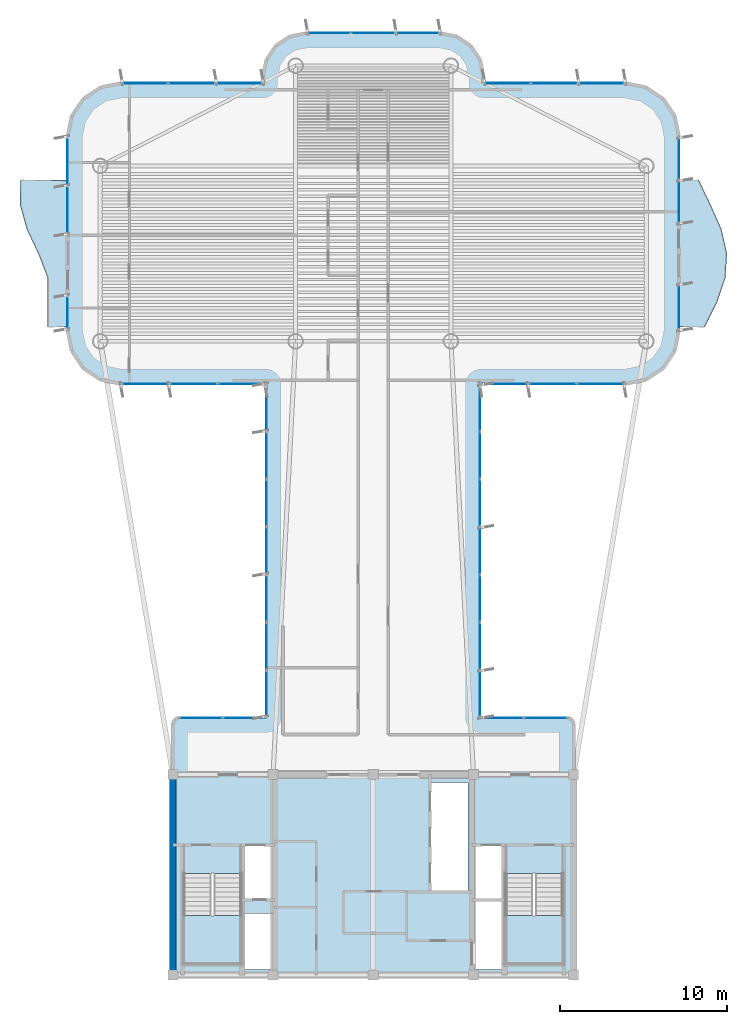
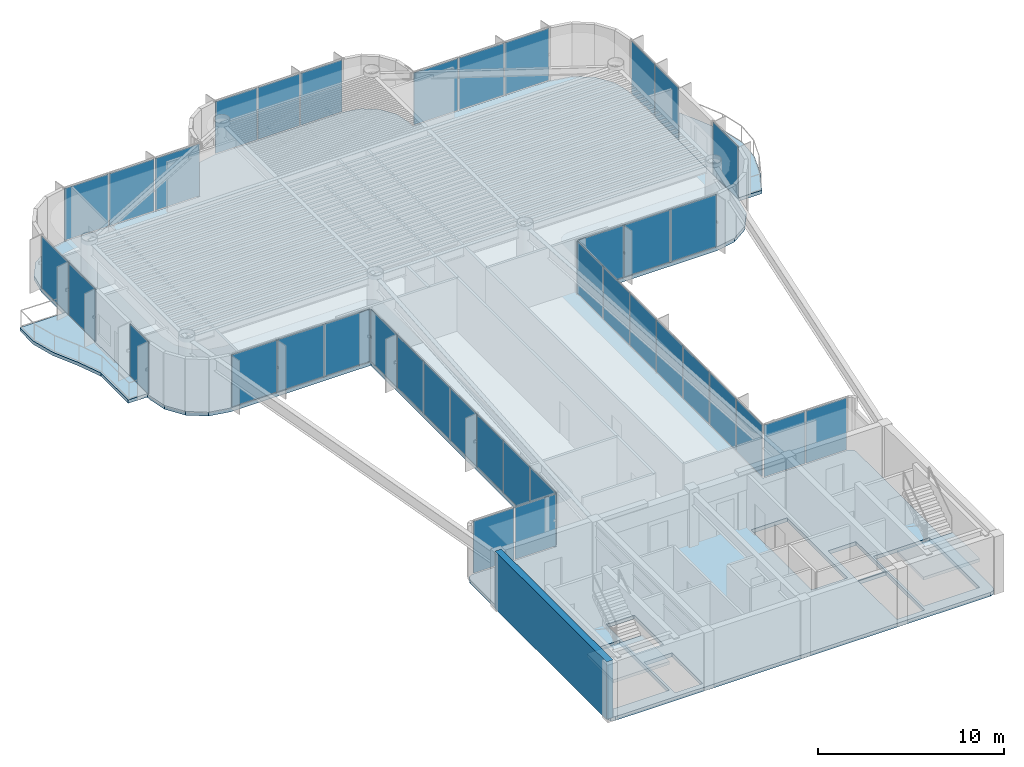
# One storey, part 9 of 15: 39 plates, 5 slabs, 1 wall, 15 elements without a shape of their own.
"""IFC4 building model written with IfcOpenShell, lengths in metres."""

from ifc_helpers import new_model, si_unit, direction, frame, frame_2d, origin, origin_2d, place, context, subcontext, project, spatial, polyline, rectangle, outline, extrude, source, transform, mapped, material, layer, layer_set, type_object, element, aggregate, save


model = new_model("IFC4")

# Units and contexts
model_context = context("Model", 3, precision=1e-05, world=origin(), true_north=direction((0.0, 1.0)))
body_context = subcontext(model_context, "Body", "Model", "MODEL_VIEW")
ifc_project = project(units=[si_unit("LENGTHUNIT", "METRE"), si_unit("AREAUNIT", "SQUARE_METRE"), si_unit("VOLUMEUNIT", "CUBIC_METRE"), si_unit("PLANEANGLEUNIT", "RADIAN"), si_unit("MASSUNIT", "GRAM", prefix="KILO")], contexts=[model_context])

# Site, building, storey
site_placement = place(None, origin())
site = spatial("IfcSite", under=ifc_project, at=site_placement, CompositionType="ELEMENT")
building_placement = place(site_placement, origin())
building = spatial("IfcBuilding", under=site, at=building_placement, Name="Brelvock Crest Care Tower", CompositionType="ELEMENT")
storey_placement = place(building_placement, frame((0.0, 0.0, 279.719970703125)))
storey = spatial("IfcBuildingStorey", under=building, at=storey_placement, Name="L71", CompositionType="ELEMENT", Elevation=279.719970703125)

# Slabs
ifc_material_1 = material(Name="Concrete N50 (50 MPa)", Category="concrete")
ifc_layer_1 = layer(ifc_material_1, 0.22998046875, Name="SLB-FL4")
ifc_layer_set_1 = layer_set([ifc_layer_1], Name="Concrete N50 (50 MPa)")
slab_type_1 = type_object("IfcSlabType", Name="SLB-FL4", PredefinedType="FLOOR", material=ifc_layer_set_1)
slab_1_placement = place(storey_placement, frame((0.0, 0.0, -0.25)))
element("IfcSlab", 1, at=slab_1_placement, inside=storey, type_object=slab_type_1, Name="L71 Main Structural Slab", PredefinedType="FLOOR", context=body_context, shape_type="SweptSolid", body=[
    extrude(outline(polyline([(47.64990234375, 21.39990234375), (42.39990234375, 21.39990234375), (42.39990234375, 41.39990234375), (51.10009765625, 41.39990234375), (52.32470703125, 41.6435546875), (53.36279296875, 42.33740234375), (54.056396484375, 43.37548828125), (54.300048828125, 44.60009765625), (54.300048828125, 56.199951171875), (54.056396484375, 57.424560546875), (53.36279296875, 58.462646484375), (52.32470703125, 59.156494140625), (51.10009765625, 59.39990234375), (42.60009765625, 59.39990234375), (42.60009765625, 59.800048828125), (42.402099609375, 60.794921875), (41.83837890625, 61.638427734375), (40.9951171875, 62.2021484375), (40.0, 62.39990234375), (32.0, 62.39990234375), (31.0048828125, 62.2021484375), (30.16162109375, 61.638427734375), (29.597900390625, 60.794921875), (29.39990234375, 59.800048828125), (29.39990234375, 59.39990234375), (20.89990234375, 59.39990234375), (19.67529296875, 59.156494140625), (18.63720703125, 58.462646484375), (17.943603515625, 57.424560546875), (17.699951171875, 56.199951171875), (17.699951171875, 44.60009765625), (17.943603515625, 43.37548828125), (18.63720703125, 42.33740234375), (19.67529296875, 41.6435546875), (20.89990234375, 41.39990234375), (29.60009765625, 41.39990234375), (29.60009765625, 21.39990234375), (24.35009765625, 21.39990234375), (24.1025390625, 21.297607421875), (24.0, 21.050048828125), (24.0, 6.35009765625), (24.1025390625, 6.1025390625), (24.35009765625, 6.0), (47.64990234375, 6.0), (47.8974609375, 6.1025390625), (48.0, 6.35009765625), (48.0, 21.050048828125), (47.8974609375, 21.297607421875), (47.64990234375, 21.39990234375)]), holes=[polyline([(28.239990234375, 10.580078125), (29.97998046875, 10.580078125), (29.97998046875, 13.739990234375), (28.239990234375, 13.739990234375), (28.239990234375, 10.580078125)]), polyline([(42.02001953125, 10.580078125), (43.760009765625, 10.580078125), (43.760009765625, 13.739990234375), (42.02001953125, 13.739990234375), (42.02001953125, 10.580078125)]), polyline([(28.239990234375, 6.340087890625), (29.97998046875, 6.340087890625), (29.97998046875, 9.64990234375), (28.239990234375, 9.64990234375), (28.239990234375, 6.340087890625)]), polyline([(24.6298828125, 12.080078125), (24.6298828125, 6.699951171875), (28.110107421875, 6.699951171875), (28.110107421875, 12.080078125), (24.6298828125, 12.080078125)]), polyline([(43.889892578125, 12.080078125), (43.889892578125, 6.699951171875), (47.3701171875, 6.699951171875), (47.3701171875, 12.080078125), (43.889892578125, 12.080078125)]), polyline([(42.02001953125, 6.340087890625), (43.760009765625, 6.340087890625), (43.760009765625, 10.5), (42.02001953125, 10.5), (42.02001953125, 6.340087890625)]), polyline([(39.429931640625, 11.030029296875), (41.669921875, 11.030029296875), (41.669921875, 17.52001953125), (39.429931640625, 17.52001953125), (39.429931640625, 11.030029296875)])]), origin(), (0.0, 0.0, 1.0), 0.25),
])
ifc_layer_2 = layer(ifc_material_1, 0.219970703125, Name="SLB-WB1")
ifc_layer_set_2 = layer_set([ifc_layer_2], Name="Concrete N50 (50 MPa)")
slab_type_2 = type_object("IfcSlabType", Name="SLB-WB1", PredefinedType="FLOOR", material=ifc_layer_set_2)
slab_2_placement = place(storey_placement, frame((0.0, 0.0, -0.219970703125)))
element("IfcSlab", 2, at=slab_2_placement, inside=storey, type_object=slab_type_2, Name="L71 W Sinusoidal Wave Balcony Slab", PredefinedType="FLOOR", context=body_context, shape_type="SweptSolid", body=[
    extrude(outline(polyline([(17.699951171875, 53.60009765625), (14.8662109375, 53.60009765625), (14.845947265625, 52.13330078125), (15.24658203125, 50.666748046875), (15.938720703125, 49.199951171875), (16.5, 47.7333984375), (16.5, 46.2666015625), (16.5, 44.800048828125), (17.699951171875, 44.800048828125), (17.699951171875, 53.60009765625)])), origin(), (0.0, 0.0, 1.0), 0.219970703125),
])
slab_3_placement = place(storey_placement, frame((0.0, 0.0, -0.219970703125)))
element("IfcSlab", 3, at=slab_3_placement, inside=storey, type_object=slab_type_2, Name="L71 E Sinusoidal Wave Balcony Slab", PredefinedType="FLOOR", context=body_context, shape_type="SweptSolid", body=[
    extrude(outline(polyline([(54.300048828125, 44.800048828125), (55.85009765625, 44.800048828125), (56.585205078125, 46.2666015625), (57.083251953125, 47.7333984375), (57.183349609375, 49.199951171875), (56.853271484375, 50.666748046875), (56.199462890625, 52.13330078125), (55.5, 53.60009765625), (54.300048828125, 53.60009765625), (54.300048828125, 44.800048828125)])), origin(), (0.0, 0.0, 1.0), 0.219970703125),
])

# Stair, slab
ifc_material_2 = material(Name="Concrete N40 (40 MPa)", Category="concrete")
stair_type = type_object("IfcStairType", Name="ST-CORE1", PredefinedType="HALF_TURN_STAIR", material=ifc_material_2)
stair_1_placement = place(storey_placement, origin())
stair_1 = element("IfcStair", 4, at=stair_1_placement, inside=storey, type_object=stair_type, Name="L71 Fire-Isolated Core Stair ST-1", PredefinedType="HALF_TURN_STAIR")
ifc_layer_3 = layer(ifc_material_2, 0.199951171875, Name="STL-1")
ifc_layer_set_3 = layer_set([ifc_layer_3], Name="Concrete N40 (40 MPa)")
slab_type_3 = type_object("IfcSlabType", Name="STL-1", PredefinedType="LANDING", material=ifc_layer_set_3)
slab_4_placement = place(storey_placement, frame((0.0, 0.0, 1.68994140625)))
slab_4 = element("IfcSlab", 5, at=slab_4_placement, type_object=slab_type_3, Name="ST-1 landing 1", PredefinedType="LANDING", context=body_context, shape_type="SweptSolid", body=[
    extrude(outline(polyline([(24.6298828125, 9.56005859375), (24.6298828125, 6.699951171875), (28.110107421875, 6.699951171875), (28.110107421875, 9.56005859375), (24.6298828125, 9.56005859375)])), origin(), (0.0, 0.0, 1.0), 0.2001953125),
])
aggregate(stair_1, [slab_4])

stair_2_placement = place(storey_placement, origin())
stair_2 = element("IfcStair", 6, at=stair_2_placement, inside=storey, type_object=stair_type, Name="L71 Fire-Isolated Core Stair ST-2", PredefinedType="HALF_TURN_STAIR")
slab_5_placement = place(storey_placement, frame((0.0, 0.0, 1.68994140625)))
slab_5 = element("IfcSlab", 7, at=slab_5_placement, type_object=slab_type_3, Name="ST-2 landing 1", PredefinedType="LANDING", context=body_context, shape_type="SweptSolid", body=[
    extrude(outline(polyline([(43.889892578125, 9.56005859375), (43.889892578125, 6.699951171875), (47.3701171875, 6.699951171875), (47.3701171875, 9.56005859375), (43.889892578125, 9.56005859375)])), origin(), (0.0, 0.0, 1.0), 0.2001953125),
])
aggregate(stair_2, [slab_5])

# Curtain wall, plates
ifc_material_3 = material(Name="Dark Glass Double Glazed Low-E", Category="glass")
ifc_layer_4 = layer(ifc_material_3, 0.239990234375, Name="CWS-5")
ifc_layer_set_4 = layer_set([ifc_layer_4], Name="Dark Glass Double Glazed Low-E")
curtain_wall_type = type_object("IfcCurtainWallType", Name="CWS-5", PredefinedType="NOTDEFINED", material=ifc_layer_set_4)
curtain_wall_1_placement = place(storey_placement, origin())
curtain_wall_1 = element("IfcCurtainWall", 8, at=curtain_wall_1_placement, inside=storey, type_object=curtain_wall_type, Name="L71 Curtain Wall E10", PredefinedType="NOTDEFINED")
ifc_layer_5 = layer(ifc_material_3, 0.0380859375, Name="CWP-V2")
ifc_layer_set_5 = layer_set([ifc_layer_5], Name="Dark Glass Double Glazed Low-E")
plate_type = type_object("IfcPlateType", Name="CWP-V2", PredefinedType="CURTAIN_PANEL", material=ifc_layer_set_5)
shared_shape_1 = source(origin(), body_context, "Body", "SweptSolid", [
    extrude(rectangle(XDim=2.534912109375, YDim=0.035888671875, at=origin_2d()), origin(), (0.0, 0.0, 1.0), 3.409912109375),
])
plate_1_placement = place(storey_placement, frame((25.677490234375, 21.39990234375, 0.06005859375), z_axis=(0.0, 0.0, 1.0), x_axis=(1.0, 0.0, 0.0)))
plate_1 = element("IfcPlate", 9, at=plate_1_placement, type_object=plate_type, Name="CW-5 panel 1.1", PredefinedType="CURTAIN_PANEL", context=body_context, shape_type="MappedRepresentation", body=[
    mapped(shared_shape_1, transform((0.0, 0.0, 0.0), x_axis=(1.0, 0.0, 0.0), y_axis=(0.0, 1.0, 0.0), z_axis=(0.0, 0.0, 1.0), scale=1.0)),
])
plate_2_placement = place(storey_placement, frame((28.2724609375, 21.39990234375, 0.06005859375), z_axis=(0.0, 0.0, 1.0), x_axis=(1.0, 0.0, 0.0)))
plate_2 = element("IfcPlate", 10, at=plate_2_placement, type_object=plate_type, Name="CW-5 panel 2.1", PredefinedType="CURTAIN_PANEL", context=body_context, shape_type="MappedRepresentation", body=[
    mapped(shared_shape_1, transform((0.0, 0.0, 0.0), x_axis=(1.0, 0.0, 0.0), y_axis=(0.0, 1.0, 0.0), z_axis=(0.0, 0.0, 1.0), scale=1.0)),
])
aggregate(curtain_wall_1, [plate_1, plate_2])

curtain_wall_2_placement = place(storey_placement, origin())
curtain_wall_2 = element("IfcCurtainWall", 11, at=curtain_wall_2_placement, inside=storey, type_object=curtain_wall_type, Name="L71 Curtain Wall E46", PredefinedType="NOTDEFINED")
plate_3_placement = place(storey_placement, frame((43.7275390625, 21.39990234375, 0.06005859375), z_axis=(0.0, 0.0, 1.0), x_axis=(1.0, 0.0, 0.0)))
plate_3 = element("IfcPlate", 12, at=plate_3_placement, type_object=plate_type, Name="CW-5 panel 1.1", PredefinedType="CURTAIN_PANEL", context=body_context, shape_type="MappedRepresentation", body=[
    mapped(shared_shape_1, transform((0.0, 0.0, 0.0), x_axis=(1.0, 0.0, 0.0), y_axis=(0.0, 1.0, 0.0), z_axis=(0.0, 0.0, 1.0), scale=1.0)),
])
plate_4_placement = place(storey_placement, frame((46.322509765625, 21.39990234375, 0.06005859375), z_axis=(0.0, 0.0, 1.0), x_axis=(1.0, 0.0, 0.0)))
plate_4 = element("IfcPlate", 13, at=plate_4_placement, type_object=plate_type, Name="CW-5 panel 2.1", PredefinedType="CURTAIN_PANEL", context=body_context, shape_type="MappedRepresentation", body=[
    mapped(shared_shape_1, transform((0.0, 0.0, 0.0), x_axis=(1.0, 0.0, 0.0), y_axis=(0.0, 1.0, 0.0), z_axis=(0.0, 0.0, 1.0), scale=1.0)),
])
aggregate(curtain_wall_2, [plate_3, plate_4])

# Curtain wall, plate
curtain_wall_3_placement = place(storey_placement, origin())
curtain_wall_3 = element("IfcCurtainWall", 14, at=curtain_wall_3_placement, inside=storey, type_object=curtain_wall_type, Name="L71 Curtain Wall E17A", PredefinedType="NOTDEFINED")
shared_shape_2 = source(origin(), body_context, "Body", "SweptSolid", [
    extrude(rectangle(XDim=1.97998046875, YDim=0.035888671875, at=origin_2d()), origin(), (0.0, 0.0, 1.0), 3.409912109375),
])
plate_5_placement = place(storey_placement, frame((17.699951171875, 45.64990234375, 0.06005859375), z_axis=(0.0, 0.0, 1.0), x_axis=(0.0, 1.0, 0.0)))
plate_5 = element("IfcPlate", 15, at=plate_5_placement, type_object=plate_type, Name="CW-5 panel 1.1", PredefinedType="CURTAIN_PANEL", context=body_context, shape_type="MappedRepresentation", body=[
    mapped(shared_shape_2, transform((0.0, 0.0, 0.0), x_axis=(1.0, 0.0, 0.0), y_axis=(0.0, 1.0, 0.0), z_axis=(0.0, 0.0, 1.0), scale=1.0)),
])
aggregate(curtain_wall_3, [plate_5])

# Curtain wall, plates
curtain_wall_4_placement = place(storey_placement, origin())
curtain_wall_4 = element("IfcCurtainWall", 16, at=curtain_wall_4_placement, inside=storey, type_object=curtain_wall_type, Name="L71 Curtain Wall E39A", PredefinedType="NOTDEFINED")
shared_shape_3 = source(origin(), body_context, "Body", "SweptSolid", [
    extrude(rectangle(XDim=2.510009765625, YDim=0.035888671875, at=origin_2d()), origin(), (0.0, 0.0, 1.0), 3.409912109375),
])
plate_6_placement = place(storey_placement, frame((54.300048828125, 54.885009765625, 0.06005859375), z_axis=(0.0, 0.0, 1.0), x_axis=(0.0, -1.0, 0.0)))
plate_6 = element("IfcPlate", 17, at=plate_6_placement, type_object=plate_type, Name="CW-5 panel 1.1", PredefinedType="CURTAIN_PANEL", context=body_context, shape_type="MappedRepresentation", body=[
    mapped(shared_shape_3, transform((0.0, 0.0, 0.0), x_axis=(1.0, 0.0, 0.0), y_axis=(0.0, 1.0, 0.0), z_axis=(0.0, 0.0, 1.0), scale=1.0)),
])
plate_7_placement = place(storey_placement, frame((54.300048828125, 52.31494140625, 0.06005859375), z_axis=(0.0, 0.0, 1.0), x_axis=(0.0, -1.0, 0.0)))
plate_7 = element("IfcPlate", 18, at=plate_7_placement, type_object=plate_type, Name="CW-5 panel 2.1", PredefinedType="CURTAIN_PANEL", context=body_context, shape_type="MappedRepresentation", body=[
    mapped(shared_shape_3, transform((0.0, 0.0, 0.0), x_axis=(1.0, 0.0, 0.0), y_axis=(0.0, 1.0, 0.0), z_axis=(0.0, 0.0, 1.0), scale=1.0)),
])
aggregate(curtain_wall_4, [plate_6, plate_7])

curtain_wall_5_placement = place(storey_placement, origin())
curtain_wall_5 = element("IfcCurtainWall", 19, at=curtain_wall_5_placement, inside=storey, type_object=curtain_wall_type, Name="L71 Curtain Wall E11", PredefinedType="NOTDEFINED")
shared_shape_4 = source(origin(), body_context, "Body", "SweptSolid", [
    extrude(rectangle(XDim=2.76708984375, YDim=0.035888671875, at=origin_2d()), origin(), (0.0, 0.0, 1.0), 3.409912109375),
])
plate_8_placement = place(storey_placement, frame((29.60009765625, 22.843505859375, 0.06005859375), z_axis=(0.0, 0.0, 1.0), x_axis=(0.0, 1.0, 0.0)))
plate_8 = element("IfcPlate", 20, at=plate_8_placement, type_object=plate_type, Name="CW-5 panel 1.1", PredefinedType="CURTAIN_PANEL", context=body_context, shape_type="MappedRepresentation", body=[
    mapped(shared_shape_4, transform((0.0, 0.0, 0.0), x_axis=(1.0, 0.0, 0.0), y_axis=(0.0, 1.0, 0.0), z_axis=(0.0, 0.0, 1.0), scale=1.0)),
])
plate_9_placement = place(storey_placement, frame((29.60009765625, 39.95654296875, 0.06005859375), z_axis=(0.0, 0.0, 1.0), x_axis=(0.0, 1.0, 0.0)))
plate_9 = element("IfcPlate", 21, at=plate_9_placement, type_object=plate_type, Name="CW-5 panel 7.1", PredefinedType="CURTAIN_PANEL", context=body_context, shape_type="MappedRepresentation", body=[
    mapped(shared_shape_4, transform((0.0, 0.0, 0.0), x_axis=(1.0, 0.0, 0.0), y_axis=(0.0, 1.0, 0.0), z_axis=(0.0, 0.0, 1.0), scale=1.0)),
])

curtain_wall_6_placement = place(storey_placement, origin())
curtain_wall_6 = element("IfcCurtainWall", 22, at=curtain_wall_6_placement, inside=storey, type_object=curtain_wall_type, Name="L71 Curtain Wall E45", PredefinedType="NOTDEFINED")
plate_10_placement = place(storey_placement, frame((42.39990234375, 39.95654296875, 0.06005859375), z_axis=(0.0, 0.0, 1.0), x_axis=(0.0, -1.0, 0.0)))
plate_10 = element("IfcPlate", 23, at=plate_10_placement, type_object=plate_type, Name="CW-5 panel 1.1", PredefinedType="CURTAIN_PANEL", context=body_context, shape_type="MappedRepresentation", body=[
    mapped(shared_shape_4, transform((0.0, 0.0, 0.0), x_axis=(1.0, 0.0, 0.0), y_axis=(0.0, 1.0, 0.0), z_axis=(0.0, 0.0, 1.0), scale=1.0)),
])
plate_11_placement = place(storey_placement, frame((42.39990234375, 22.843505859375, 0.06005859375), z_axis=(0.0, 0.0, 1.0), x_axis=(0.0, -1.0, 0.0)))
plate_11 = element("IfcPlate", 24, at=plate_11_placement, type_object=plate_type, Name="CW-5 panel 7.1", PredefinedType="CURTAIN_PANEL", context=body_context, shape_type="MappedRepresentation", body=[
    mapped(shared_shape_4, transform((0.0, 0.0, 0.0), x_axis=(1.0, 0.0, 0.0), y_axis=(0.0, 1.0, 0.0), z_axis=(0.0, 0.0, 1.0), scale=1.0)),
])

# Plate
shared_shape_5 = source(origin(), body_context, "Body", "SweptSolid", [
    extrude(rectangle(XDim=2.797119140625, YDim=0.035888671875, at=origin_2d()), origin(), (0.0, 0.0, 1.0), 3.409912109375),
])
plate_12_placement = place(storey_placement, frame((29.60009765625, 25.685791015625, 0.06005859375), z_axis=(0.0, 0.0, 1.0), x_axis=(0.0, 1.0, 0.0)))
plate_12 = element("IfcPlate", 25, at=plate_12_placement, type_object=plate_type, Name="CW-5 panel 2.1", PredefinedType="CURTAIN_PANEL", context=body_context, shape_type="MappedRepresentation", body=[
    mapped(shared_shape_5, transform((0.0, 0.0, 0.0), x_axis=(1.0, 0.0, 0.0), y_axis=(0.0, 1.0, 0.0), z_axis=(0.0, 0.0, 1.0), scale=1.0)),
])

plate_13_placement = place(storey_placement, frame((29.60009765625, 28.54296875, 0.06005859375), z_axis=(0.0, 0.0, 1.0), x_axis=(0.0, 1.0, 0.0)))
plate_13 = element("IfcPlate", 26, at=plate_13_placement, type_object=plate_type, Name="CW-5 panel 3.1", PredefinedType="CURTAIN_PANEL", context=body_context, shape_type="MappedRepresentation", body=[
    mapped(shared_shape_5, transform((0.0, 0.0, 0.0), x_axis=(1.0, 0.0, 0.0), y_axis=(0.0, 1.0, 0.0), z_axis=(0.0, 0.0, 1.0), scale=1.0)),
])

plate_14_placement = place(storey_placement, frame((29.60009765625, 31.39990234375, 0.06005859375), z_axis=(0.0, 0.0, 1.0), x_axis=(0.0, 1.0, 0.0)))
plate_14 = element("IfcPlate", 27, at=plate_14_placement, type_object=plate_type, Name="CW-5 panel 4.1", PredefinedType="CURTAIN_PANEL", context=body_context, shape_type="MappedRepresentation", body=[
    mapped(shared_shape_5, transform((0.0, 0.0, 0.0), x_axis=(1.0, 0.0, 0.0), y_axis=(0.0, 1.0, 0.0), z_axis=(0.0, 0.0, 1.0), scale=1.0)),
])

plate_15_placement = place(storey_placement, frame((29.60009765625, 34.257080078125, 0.06005859375), z_axis=(0.0, 0.0, 1.0), x_axis=(0.0, 1.0, 0.0)))
plate_15 = element("IfcPlate", 28, at=plate_15_placement, type_object=plate_type, Name="CW-5 panel 5.1", PredefinedType="CURTAIN_PANEL", context=body_context, shape_type="MappedRepresentation", body=[
    mapped(shared_shape_5, transform((0.0, 0.0, 0.0), x_axis=(1.0, 0.0, 0.0), y_axis=(0.0, 1.0, 0.0), z_axis=(0.0, 0.0, 1.0), scale=1.0)),
])

plate_16_placement = place(storey_placement, frame((29.60009765625, 37.1142578125, 0.06005859375), z_axis=(0.0, 0.0, 1.0), x_axis=(0.0, 1.0, 0.0)))
plate_16 = element("IfcPlate", 29, at=plate_16_placement, type_object=plate_type, Name="CW-5 panel 6.1", PredefinedType="CURTAIN_PANEL", context=body_context, shape_type="MappedRepresentation", body=[
    mapped(shared_shape_5, transform((0.0, 0.0, 0.0), x_axis=(1.0, 0.0, 0.0), y_axis=(0.0, 1.0, 0.0), z_axis=(0.0, 0.0, 1.0), scale=1.0)),
])

aggregate(curtain_wall_5, [plate_8, plate_12, plate_13, plate_14, plate_15, plate_16, plate_9])

plate_17_placement = place(storey_placement, frame((42.39990234375, 37.1142578125, 0.06005859375), z_axis=(0.0, 0.0, 1.0), x_axis=(0.0, -1.0, 0.0)))
plate_17 = element("IfcPlate", 30, at=plate_17_placement, type_object=plate_type, Name="CW-5 panel 2.1", PredefinedType="CURTAIN_PANEL", context=body_context, shape_type="MappedRepresentation", body=[
    mapped(shared_shape_5, transform((0.0, 0.0, 0.0), x_axis=(1.0, 0.0, 0.0), y_axis=(0.0, 1.0, 0.0), z_axis=(0.0, 0.0, 1.0), scale=1.0)),
])

plate_18_placement = place(storey_placement, frame((42.39990234375, 34.257080078125, 0.06005859375), z_axis=(0.0, 0.0, 1.0), x_axis=(0.0, -1.0, 0.0)))
plate_18 = element("IfcPlate", 31, at=plate_18_placement, type_object=plate_type, Name="CW-5 panel 3.1", PredefinedType="CURTAIN_PANEL", context=body_context, shape_type="MappedRepresentation", body=[
    mapped(shared_shape_5, transform((0.0, 0.0, 0.0), x_axis=(1.0, 0.0, 0.0), y_axis=(0.0, 1.0, 0.0), z_axis=(0.0, 0.0, 1.0), scale=1.0)),
])

plate_19_placement = place(storey_placement, frame((42.39990234375, 31.39990234375, 0.06005859375), z_axis=(0.0, 0.0, 1.0), x_axis=(0.0, -1.0, 0.0)))
plate_19 = element("IfcPlate", 32, at=plate_19_placement, type_object=plate_type, Name="CW-5 panel 4.1", PredefinedType="CURTAIN_PANEL", context=body_context, shape_type="MappedRepresentation", body=[
    mapped(shared_shape_5, transform((0.0, 0.0, 0.0), x_axis=(1.0, 0.0, 0.0), y_axis=(0.0, 1.0, 0.0), z_axis=(0.0, 0.0, 1.0), scale=1.0)),
])

plate_20_placement = place(storey_placement, frame((42.39990234375, 28.54296875, 0.06005859375), z_axis=(0.0, 0.0, 1.0), x_axis=(0.0, -1.0, 0.0)))
plate_20 = element("IfcPlate", 33, at=plate_20_placement, type_object=plate_type, Name="CW-5 panel 5.1", PredefinedType="CURTAIN_PANEL", context=body_context, shape_type="MappedRepresentation", body=[
    mapped(shared_shape_5, transform((0.0, 0.0, 0.0), x_axis=(1.0, 0.0, 0.0), y_axis=(0.0, 1.0, 0.0), z_axis=(0.0, 0.0, 1.0), scale=1.0)),
])

plate_21_placement = place(storey_placement, frame((42.39990234375, 25.685791015625, 0.06005859375), z_axis=(0.0, 0.0, 1.0), x_axis=(0.0, -1.0, 0.0)))
plate_21 = element("IfcPlate", 34, at=plate_21_placement, type_object=plate_type, Name="CW-5 panel 6.1", PredefinedType="CURTAIN_PANEL", context=body_context, shape_type="MappedRepresentation", body=[
    mapped(shared_shape_5, transform((0.0, 0.0, 0.0), x_axis=(1.0, 0.0, 0.0), y_axis=(0.0, 1.0, 0.0), z_axis=(0.0, 0.0, 1.0), scale=1.0)),
])

aggregate(curtain_wall_6, [plate_10, plate_17, plate_18, plate_19, plate_20, plate_21, plate_11])

# Curtain wall, plates
curtain_wall_7_placement = place(storey_placement, origin())
curtain_wall_7 = element("IfcCurtainWall", 35, at=curtain_wall_7_placement, inside=storey, type_object=curtain_wall_type, Name="L71 Curtain Wall E12", PredefinedType="NOTDEFINED")
shared_shape_6 = source(origin(), body_context, "Body", "SweptSolid", [
    extrude(rectangle(XDim=2.81005859375, YDim=0.035888671875, at=origin_2d()), origin(), (0.0, 0.0, 1.0), 3.409912109375),
])
plate_22_placement = place(storey_placement, frame((28.135009765625, 41.39990234375, 0.06005859375), z_axis=(0.0, 0.0, 1.0), x_axis=(-1.0, 0.0, 0.0)))
plate_22 = element("IfcPlate", 36, at=plate_22_placement, type_object=plate_type, Name="CW-5 panel 1.1", PredefinedType="CURTAIN_PANEL", context=body_context, shape_type="MappedRepresentation", body=[
    mapped(shared_shape_6, transform((0.0, 0.0, 0.0), x_axis=(1.0, 0.0, 0.0), y_axis=(0.0, 1.0, 0.0), z_axis=(0.0, 0.0, 1.0), scale=1.0)),
])
plate_23_placement = place(storey_placement, frame((22.364990234375, 41.39990234375, 0.06005859375), z_axis=(0.0, 0.0, 1.0), x_axis=(-1.0, 0.0, 0.0)))
plate_23 = element("IfcPlate", 37, at=plate_23_placement, type_object=plate_type, Name="CW-5 panel 3.1", PredefinedType="CURTAIN_PANEL", context=body_context, shape_type="MappedRepresentation", body=[
    mapped(shared_shape_6, transform((0.0, 0.0, 0.0), x_axis=(1.0, 0.0, 0.0), y_axis=(0.0, 1.0, 0.0), z_axis=(0.0, 0.0, 1.0), scale=1.0)),
])

curtain_wall_8_placement = place(storey_placement, origin())
curtain_wall_8 = element("IfcCurtainWall", 38, at=curtain_wall_8_placement, inside=storey, type_object=curtain_wall_type, Name="L71 Curtain Wall E44", PredefinedType="NOTDEFINED")
plate_24_placement = place(storey_placement, frame((49.635009765625, 41.39990234375, 0.06005859375), z_axis=(0.0, 0.0, 1.0), x_axis=(-1.0, 0.0, 0.0)))
plate_24 = element("IfcPlate", 39, at=plate_24_placement, type_object=plate_type, Name="CW-5 panel 1.1", PredefinedType="CURTAIN_PANEL", context=body_context, shape_type="MappedRepresentation", body=[
    mapped(shared_shape_6, transform((0.0, 0.0, 0.0), x_axis=(1.0, 0.0, 0.0), y_axis=(0.0, 1.0, 0.0), z_axis=(0.0, 0.0, 1.0), scale=1.0)),
])
plate_25_placement = place(storey_placement, frame((43.864990234375, 41.39990234375, 0.06005859375), z_axis=(0.0, 0.0, 1.0), x_axis=(-1.0, 0.0, 0.0)))
plate_25 = element("IfcPlate", 40, at=plate_25_placement, type_object=plate_type, Name="CW-5 panel 3.1", PredefinedType="CURTAIN_PANEL", context=body_context, shape_type="MappedRepresentation", body=[
    mapped(shared_shape_6, transform((0.0, 0.0, 0.0), x_axis=(1.0, 0.0, 0.0), y_axis=(0.0, 1.0, 0.0), z_axis=(0.0, 0.0, 1.0), scale=1.0)),
])

# Plate
shared_shape_7 = source(origin(), body_context, "Body", "SweptSolid", [
    extrude(rectangle(XDim=2.840087890625, YDim=0.035888671875, at=origin_2d()), origin(), (0.0, 0.0, 1.0), 3.409912109375),
])
plate_26_placement = place(storey_placement, frame((25.25, 41.39990234375, 0.06005859375), z_axis=(0.0, 0.0, 1.0), x_axis=(-1.0, 0.0, 0.0)))
plate_26 = element("IfcPlate", 41, at=plate_26_placement, type_object=plate_type, Name="CW-5 panel 2.1", PredefinedType="CURTAIN_PANEL", context=body_context, shape_type="MappedRepresentation", body=[
    mapped(shared_shape_7, transform((0.0, 0.0, 0.0), x_axis=(1.0, 0.0, 0.0), y_axis=(0.0, 1.0, 0.0), z_axis=(0.0, 0.0, 1.0), scale=1.0)),
])

aggregate(curtain_wall_7, [plate_22, plate_26, plate_23])

plate_27_placement = place(storey_placement, frame((46.75, 41.39990234375, 0.06005859375), z_axis=(0.0, 0.0, 1.0), x_axis=(-1.0, 0.0, 0.0)))
plate_27 = element("IfcPlate", 42, at=plate_27_placement, type_object=plate_type, Name="CW-5 panel 2.1", PredefinedType="CURTAIN_PANEL", context=body_context, shape_type="MappedRepresentation", body=[
    mapped(shared_shape_7, transform((0.0, 0.0, 0.0), x_axis=(1.0, 0.0, 0.0), y_axis=(0.0, 1.0, 0.0), z_axis=(0.0, 0.0, 1.0), scale=1.0)),
])

aggregate(curtain_wall_8, [plate_24, plate_27, plate_25])

# Curtain wall, plates
curtain_wall_9_placement = place(storey_placement, origin())
curtain_wall_9 = element("IfcCurtainWall", 43, at=curtain_wall_9_placement, inside=storey, type_object=curtain_wall_type, Name="L71 Curtain Wall E22", PredefinedType="NOTDEFINED")
shared_shape_8 = source(origin(), body_context, "Body", "SweptSolid", [
    extrude(rectangle(XDim=2.743408203125, YDim=0.035888671875, at=origin_2d()), origin(), (0.0, 0.0, 1.0), 3.409912109375),
])
plate_28_placement = place(storey_placement, frame((22.331787109375, 59.39990234375, 0.06005859375), z_axis=(0.0, 0.0, 1.0), x_axis=(1.0, 0.0, 0.0)))
plate_28 = element("IfcPlate", 44, at=plate_28_placement, type_object=plate_type, Name="CW-5 panel 1.1", PredefinedType="CURTAIN_PANEL", context=body_context, shape_type="MappedRepresentation", body=[
    mapped(shared_shape_8, transform((0.0, 0.0, 0.0), x_axis=(1.0, 0.0, 0.0), y_axis=(0.0, 1.0, 0.0), z_axis=(0.0, 0.0, 1.0), scale=1.0)),
])
plate_29_placement = place(storey_placement, frame((27.96826171875, 59.39990234375, 0.06005859375), z_axis=(0.0, 0.0, 1.0), x_axis=(1.0, 0.0, 0.0)))
plate_29 = element("IfcPlate", 45, at=plate_29_placement, type_object=plate_type, Name="CW-5 panel 3.1", PredefinedType="CURTAIN_PANEL", context=body_context, shape_type="MappedRepresentation", body=[
    mapped(shared_shape_8, transform((0.0, 0.0, 0.0), x_axis=(1.0, 0.0, 0.0), y_axis=(0.0, 1.0, 0.0), z_axis=(0.0, 0.0, 1.0), scale=1.0)),
])

curtain_wall_10_placement = place(storey_placement, origin())
curtain_wall_10 = element("IfcCurtainWall", 46, at=curtain_wall_10_placement, inside=storey, type_object=curtain_wall_type, Name="L71 Curtain Wall E34", PredefinedType="NOTDEFINED")
plate_30_placement = place(storey_placement, frame((44.03173828125, 59.39990234375, 0.06005859375), z_axis=(0.0, 0.0, 1.0), x_axis=(1.0, 0.0, 0.0)))
plate_30 = element("IfcPlate", 47, at=plate_30_placement, type_object=plate_type, Name="CW-5 panel 1.1", PredefinedType="CURTAIN_PANEL", context=body_context, shape_type="MappedRepresentation", body=[
    mapped(shared_shape_8, transform((0.0, 0.0, 0.0), x_axis=(1.0, 0.0, 0.0), y_axis=(0.0, 1.0, 0.0), z_axis=(0.0, 0.0, 1.0), scale=1.0)),
])
plate_31_placement = place(storey_placement, frame((49.668212890625, 59.39990234375, 0.06005859375), z_axis=(0.0, 0.0, 1.0), x_axis=(1.0, 0.0, 0.0)))
plate_31 = element("IfcPlate", 48, at=plate_31_placement, type_object=plate_type, Name="CW-5 panel 3.1", PredefinedType="CURTAIN_PANEL", context=body_context, shape_type="MappedRepresentation", body=[
    mapped(shared_shape_8, transform((0.0, 0.0, 0.0), x_axis=(1.0, 0.0, 0.0), y_axis=(0.0, 1.0, 0.0), z_axis=(0.0, 0.0, 1.0), scale=1.0)),
])

# Plate
shared_shape_9 = source(origin(), body_context, "Body", "SweptSolid", [
    extrude(rectangle(XDim=2.7734375, YDim=0.035888671875, at=origin_2d()), origin(), (0.0, 0.0, 1.0), 3.409912109375),
])
plate_32_placement = place(storey_placement, frame((25.14990234375, 59.39990234375, 0.06005859375), z_axis=(0.0, 0.0, 1.0), x_axis=(1.0, 0.0, 0.0)))
plate_32 = element("IfcPlate", 49, at=plate_32_placement, type_object=plate_type, Name="CW-5 panel 2.1", PredefinedType="CURTAIN_PANEL", context=body_context, shape_type="MappedRepresentation", body=[
    mapped(shared_shape_9, transform((0.0, 0.0, 0.0), x_axis=(1.0, 0.0, 0.0), y_axis=(0.0, 1.0, 0.0), z_axis=(0.0, 0.0, 1.0), scale=1.0)),
])

aggregate(curtain_wall_9, [plate_28, plate_32, plate_29])

plate_33_placement = place(storey_placement, frame((46.85009765625, 59.39990234375, 0.06005859375), z_axis=(0.0, 0.0, 1.0), x_axis=(1.0, 0.0, 0.0)))
plate_33 = element("IfcPlate", 50, at=plate_33_placement, type_object=plate_type, Name="CW-5 panel 2.1", PredefinedType="CURTAIN_PANEL", context=body_context, shape_type="MappedRepresentation", body=[
    mapped(shared_shape_9, transform((0.0, 0.0, 0.0), x_axis=(1.0, 0.0, 0.0), y_axis=(0.0, 1.0, 0.0), z_axis=(0.0, 0.0, 1.0), scale=1.0)),
])

aggregate(curtain_wall_10, [plate_30, plate_33, plate_31])

# Curtain wall, plates
curtain_wall_11_placement = place(storey_placement, origin())
curtain_wall_11 = element("IfcCurtainWall", 51, at=curtain_wall_11_placement, inside=storey, type_object=curtain_wall_type, Name="L71 Curtain Wall E28", PredefinedType="NOTDEFINED")
shared_shape_10 = source(origin(), body_context, "Body", "SweptSolid", [
    extrude(rectangle(XDim=2.57666015625, YDim=0.035888671875, at=origin_2d()), origin(), (0.0, 0.0, 1.0), 3.409912109375),
])
plate_34_placement = place(storey_placement, frame((33.348388671875, 62.39990234375, 0.06005859375), z_axis=(0.0, 0.0, 1.0), x_axis=(1.0, 0.0, 0.0)))
plate_34 = element("IfcPlate", 52, at=plate_34_placement, type_object=plate_type, Name="CW-5 panel 1.1", PredefinedType="CURTAIN_PANEL", context=body_context, shape_type="MappedRepresentation", body=[
    mapped(shared_shape_10, transform((0.0, 0.0, 0.0), x_axis=(1.0, 0.0, 0.0), y_axis=(0.0, 1.0, 0.0), z_axis=(0.0, 0.0, 1.0), scale=1.0)),
])
plate_35_placement = place(storey_placement, frame((38.651611328125, 62.39990234375, 0.06005859375), z_axis=(0.0, 0.0, 1.0), x_axis=(1.0, 0.0, 0.0)))
plate_35 = element("IfcPlate", 53, at=plate_35_placement, type_object=plate_type, Name="CW-5 panel 3.1", PredefinedType="CURTAIN_PANEL", context=body_context, shape_type="MappedRepresentation", body=[
    mapped(shared_shape_10, transform((0.0, 0.0, 0.0), x_axis=(1.0, 0.0, 0.0), y_axis=(0.0, 1.0, 0.0), z_axis=(0.0, 0.0, 1.0), scale=1.0)),
])
shared_shape_11 = source(origin(), body_context, "Body", "SweptSolid", [
    extrude(rectangle(XDim=2.606689453125, YDim=0.035888671875, at=origin_2d()), origin(), (0.0, 0.0, 1.0), 3.409912109375),
])
plate_36_placement = place(storey_placement, frame((36.0, 62.39990234375, 0.06005859375), z_axis=(0.0, 0.0, 1.0), x_axis=(1.0, 0.0, 0.0)))
plate_36 = element("IfcPlate", 54, at=plate_36_placement, type_object=plate_type, Name="CW-5 panel 2.1", PredefinedType="CURTAIN_PANEL", context=body_context, shape_type="MappedRepresentation", body=[
    mapped(shared_shape_11, transform((0.0, 0.0, 0.0), x_axis=(1.0, 0.0, 0.0), y_axis=(0.0, 1.0, 0.0), z_axis=(0.0, 0.0, 1.0), scale=1.0)),
])
aggregate(curtain_wall_11, [plate_34, plate_36, plate_35])

# Curtain wall, plate
curtain_wall_12_placement = place(storey_placement, origin())
curtain_wall_12 = element("IfcCurtainWall", 55, at=curtain_wall_12_placement, inside=storey, type_object=curtain_wall_type, Name="L71 Curtain Wall E39B", PredefinedType="NOTDEFINED")
shared_shape_12 = source(origin(), body_context, "Body", "SweptSolid", [
    extrude(rectangle(XDim=2.679931640625, YDim=0.035888671875, at=origin_2d()), origin(), (0.0, 0.0, 1.0), 3.409912109375),
])
plate_37_placement = place(storey_placement, frame((54.300048828125, 46.0, 0.06005859375), z_axis=(0.0, 0.0, 1.0), x_axis=(0.0, -1.0, 0.0)))
plate_37 = element("IfcPlate", 56, at=plate_37_placement, type_object=plate_type, Name="CW-5 panel 1.1", PredefinedType="CURTAIN_PANEL", context=body_context, shape_type="MappedRepresentation", body=[
    mapped(shared_shape_12, transform((0.0, 0.0, 0.0), x_axis=(1.0, 0.0, 0.0), y_axis=(0.0, 1.0, 0.0), z_axis=(0.0, 0.0, 1.0), scale=1.0)),
])
aggregate(curtain_wall_12, [plate_37])

# Curtain wall, plates
curtain_wall_13_placement = place(storey_placement, origin())
curtain_wall_13 = element("IfcCurtainWall", 57, at=curtain_wall_13_placement, inside=storey, type_object=curtain_wall_type, Name="L71 Curtain Wall E17B", PredefinedType="NOTDEFINED")
shared_shape_13 = source(origin(), body_context, "Body", "SweptSolid", [
    extrude(rectangle(XDim=2.860107421875, YDim=0.035888671875, at=origin_2d()), origin(), (0.0, 0.0, 1.0), 3.409912109375),
])
plate_38_placement = place(storey_placement, frame((17.699951171875, 51.7900390625, 0.06005859375), z_axis=(0.0, 0.0, 1.0), x_axis=(0.0, 1.0, 0.0)))
plate_38 = element("IfcPlate", 58, at=plate_38_placement, type_object=plate_type, Name="CW-5 panel 1.1", PredefinedType="CURTAIN_PANEL", context=body_context, shape_type="MappedRepresentation", body=[
    mapped(shared_shape_13, transform((0.0, 0.0, 0.0), x_axis=(1.0, 0.0, 0.0), y_axis=(0.0, 1.0, 0.0), z_axis=(0.0, 0.0, 1.0), scale=1.0)),
])
plate_39_placement = place(storey_placement, frame((17.699951171875, 54.7099609375, 0.06005859375), z_axis=(0.0, 0.0, 1.0), x_axis=(0.0, 1.0, 0.0)))
plate_39 = element("IfcPlate", 59, at=plate_39_placement, type_object=plate_type, Name="CW-5 panel 2.1", PredefinedType="CURTAIN_PANEL", context=body_context, shape_type="MappedRepresentation", body=[
    mapped(shared_shape_13, transform((0.0, 0.0, 0.0), x_axis=(1.0, 0.0, 0.0), y_axis=(0.0, 1.0, 0.0), z_axis=(0.0, 0.0, 1.0), scale=1.0)),
])
aggregate(curtain_wall_13, [plate_38, plate_39])

# Wall
ifc_material_4 = material(Name="Concrete S65 (65 MPa)", Category="concrete")
ifc_layer_6 = layer(ifc_material_4, 0.39990234375, Name="WL-CS4")
ifc_layer_set_6 = layer_set([ifc_layer_6], Name="Concrete S65 (65 MPa)")
wall_type = type_object("IfcWallType", Name="WL-CS4", PredefinedType="SHEAR", material=ifc_layer_set_6)
wall_placement = place(storey_placement, frame((24.0, 6.0, 0.0), z_axis=(0.0, 0.0, 1.0), x_axis=(0.0, 1.0, 0.0)))
element("IfcWall", 60, at=wall_placement, inside=storey, type_object=wall_type, Name="L71 Core West Shear Wall", PredefinedType="SHEAR", context=body_context, shape_type="SweptSolid", body=[
    extrude(rectangle(XDim=12.0, YDim=0.39990234375, at=frame_2d((6.0, 0.0))), origin(), (0.0, 0.0, 1.0), 3.780029296875),
])

save(model, "model.ifc")
